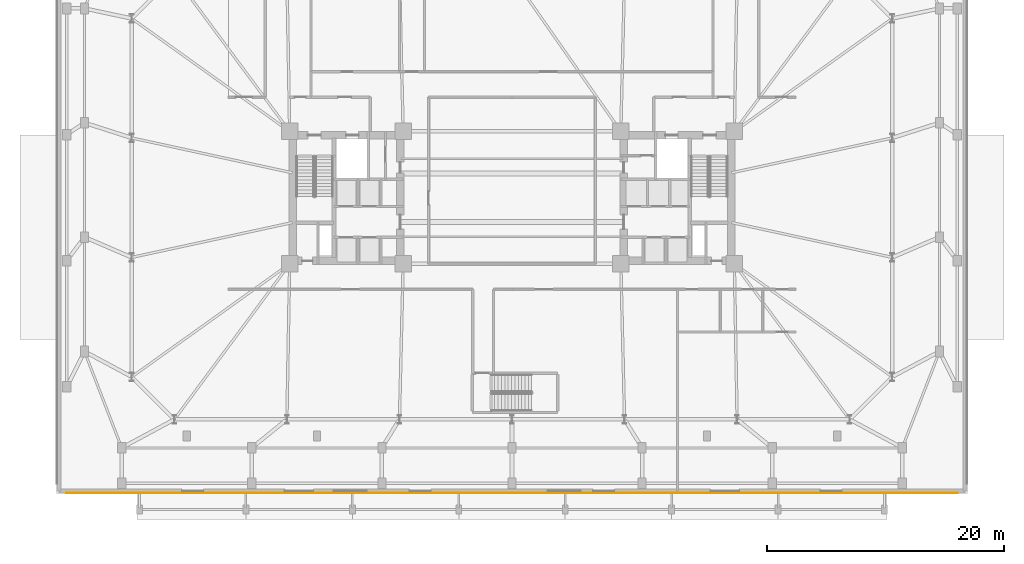
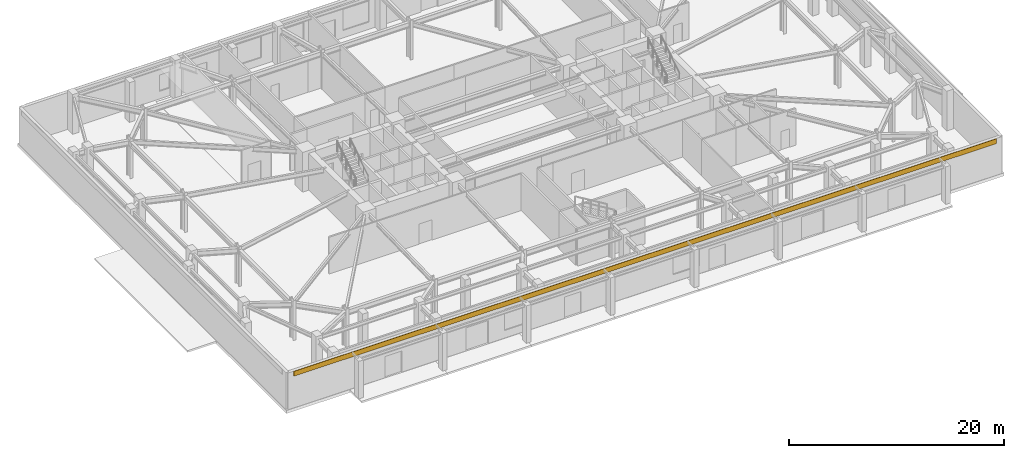
# One storey, part 15 of 18: 1 covering.
"""IFC4 building model written with IfcOpenShell, lengths in metres."""

from ifc_helpers import new_model, si_unit, direction, frame, origin, place, context, subcontext, project, spatial, polyline, outline, extrude, material, layer, layer_set, type_object, element, save


model = new_model("IFC4")

# Units and contexts
model_context = context("Model", 3, precision=1e-05, world=origin(), true_north=direction((0.0, 1.0)))
body_context = subcontext(model_context, "Body", "Model", "MODEL_VIEW")
ifc_project = project(units=[si_unit("LENGTHUNIT", "METRE"), si_unit("AREAUNIT", "SQUARE_METRE"), si_unit("VOLUMEUNIT", "CUBIC_METRE"), si_unit("PLANEANGLEUNIT", "RADIAN"), si_unit("MASSUNIT", "GRAM", prefix="KILO")], contexts=[model_context])

# Site, building, storey
site_placement = place(None, origin())
site = spatial("IfcSite", under=ifc_project, at=site_placement, CompositionType="ELEMENT")
building_placement = place(site_placement, origin())
building = spatial("IfcBuilding", under=site, at=building_placement, Name="Qobustan Lattice House", CompositionType="ELEMENT")
storey_placement = place(building_placement, origin())
storey = spatial("IfcBuildingStorey", under=building, at=storey_placement, Name="L00", CompositionType="ELEMENT", Elevation=0.0)

# Covering
ifc_material = material(Name="Qobustan buff limestone cladding", Category="masonry")
ifc_layer = layer(ifc_material, 0.044921875)
ifc_layer_set = layer_set([ifc_layer], Name="Qobustan buff limestone cladding")
covering_type = type_object("IfcCoveringType", Name="COV-STONE-CLAD", PredefinedType="CLADDING", material=ifc_layer_set)
covering_placement = place(storey_placement, frame((0.0, 0.0, 3.6201171875)))
element("IfcCovering", 1, at=covering_placement, inside=storey, type_object=covering_type, Name="L00 S Qobustan limestone cornice band", PredefinedType="CLADDING", context=body_context, shape_type="SweptSolid", body=[
    extrude(outline(polyline([(37.699951171875, -24.9580078125), (37.699951171875, -25.0029296875), (-37.699951171875, -25.0029296875), (-37.699951171875, -24.9580078125), (37.699951171875, -24.9580078125)])), origin(), (0.0, 0.0, 1.0), 0.5498046875),
])

save(model, "model.ifc")
